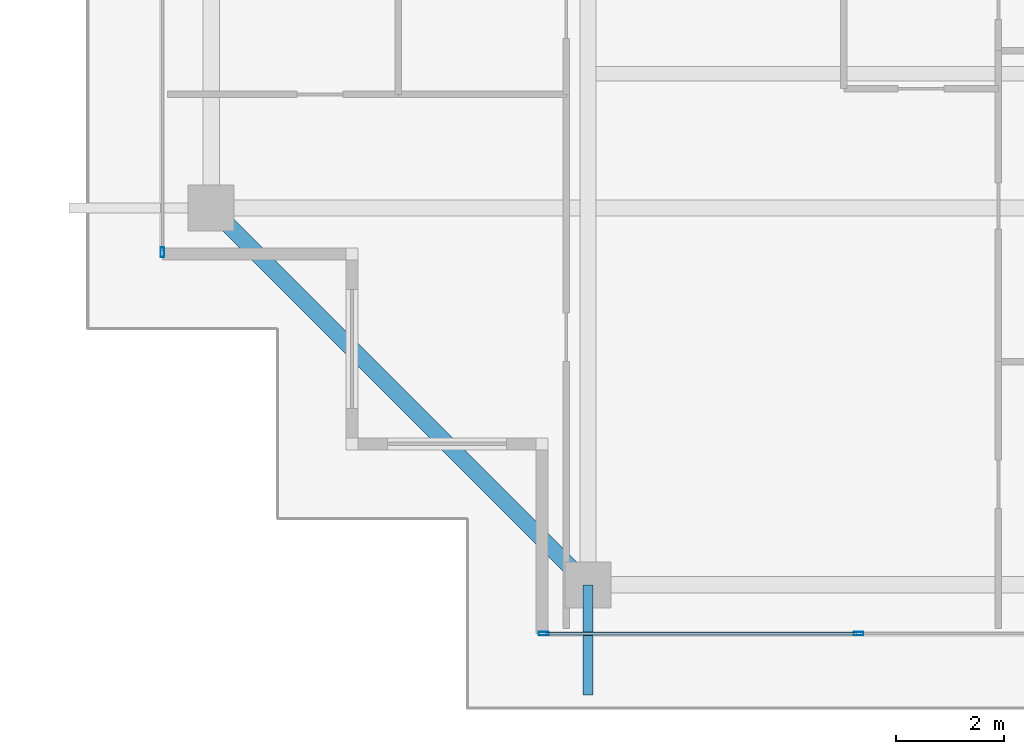
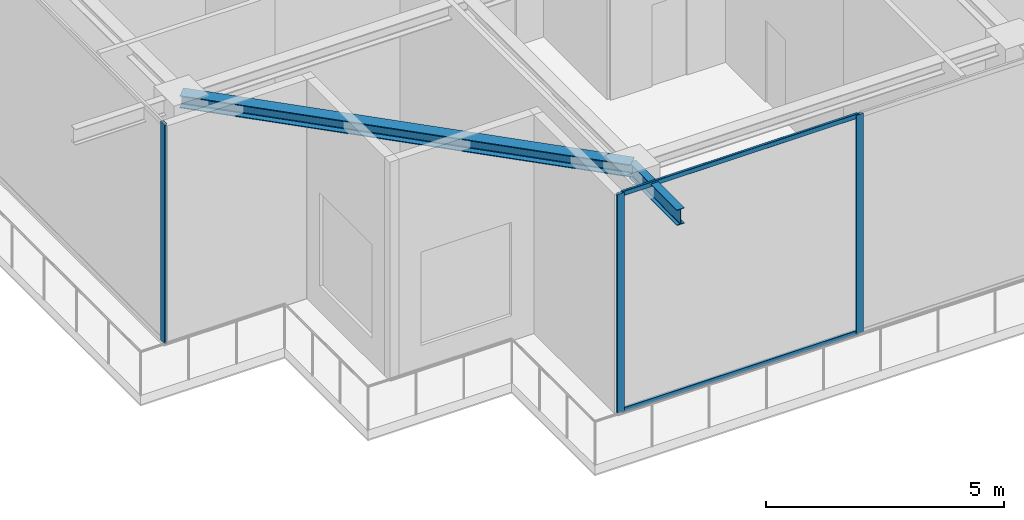
# One storey, part 2 of 40: 5 members, 2 beams, 2 elements without a shape of their own.
"""IFC4 building model written with IfcOpenShell, lengths in metres."""

from ifc_helpers import new_model, si_unit, direction, frame, origin, origin_2d, place, context, subcontext, project, spatial, hollow_rectangle, i_section, extrude, source, transform, mapped, material, layer, layer_set, material_profile, profile_set, type_object, element, aggregate, save


model = new_model("IFC4")

# Units and contexts
model_context = context("Model", 3, precision=1e-05, world=origin(), true_north=direction((0.0, 1.0)))
body_context = subcontext(model_context, "Body", "Model", "MODEL_VIEW")
ifc_project = project(units=[si_unit("LENGTHUNIT", "METRE"), si_unit("AREAUNIT", "SQUARE_METRE"), si_unit("VOLUMEUNIT", "CUBIC_METRE"), si_unit("PLANEANGLEUNIT", "RADIAN"), si_unit("MASSUNIT", "GRAM", prefix="KILO")], contexts=[model_context])

# Site, building, storey
site_placement = place(None, origin())
site = spatial("IfcSite", under=ifc_project, at=site_placement, CompositionType="ELEMENT")
building_placement = place(site_placement, origin())
building = spatial("IfcBuilding", under=site, at=building_placement, Name="Serunith Strait Residences", CompositionType="ELEMENT")
storey_placement = place(building_placement, frame((0.0, 0.0, 347.949951171875)))
storey = spatial("IfcBuildingStorey", under=building, at=storey_placement, Name="L86", CompositionType="ELEMENT", Elevation=347.949951171875)

# Beams
ifc_material_1 = material(Name="Steel S355J2", Category="steel")
ifc_material_profile_1 = material_profile(ifc_material_1, i_section(OverallWidth=0.300048828125, OverallDepth=0.320068359375, WebThickness=0.011474609375, FlangeThickness=0.0205078125, FilletRadius=0.027099609375, at=origin_2d()), Name="HEB 320")
ifc_profile_set_1 = profile_set([ifc_material_profile_1], Name="Steel S355J2")
beam_type_1 = type_object("IfcBeamType", Name="BM-HEB320", PredefinedType="BEAM", material=ifc_profile_set_1)
shared_shape_1 = source(origin(), body_context, "Body", "SweptSolid", [
    extrude(i_section(OverallWidth=0.300048828125, OverallDepth=0.320068359375, WebThickness=0.011474609375, FlangeThickness=0.0205078125, FilletRadius=0.027099609375, at=origin_2d()), origin(), (0.0, 0.0, 1.0), 9.828857421875),
])
beam_1_placement = place(storey_placement, frame((11.699951171875, 11.85009765625, 5.447021484375), z_axis=(0.707094361533, -0.707119200622, 0.0), x_axis=(0.707119200622, 0.707094361533, 0.0)))
element("IfcBeam", 1, at=beam_1_placement, inside=storey, type_object=beam_type_1, Name="L86 Perimeter Ring Beam 16", PredefinedType="BEAM", context=body_context, shape_type="MappedRepresentation", body=[
    mapped(shared_shape_1, transform((0.0, 0.0, 0.0), scale=1.0)),
])
ifc_material_profile_2 = material_profile(ifc_material_1, i_section(OverallWidth=0.179931640625, OverallDepth=0.39990234375, WebThickness=0.008544921875, FlangeThickness=0.013427734375, FilletRadius=0.02099609375, at=origin_2d()), Name="IPE 400")
ifc_profile_set_2 = profile_set([ifc_material_profile_2], Name="Steel S355J2")
beam_type_2 = type_object("IfcBeamType", Name="BM-IPE400", PredefinedType="JOIST", material=ifc_profile_set_2)
shared_shape_2 = source(origin(), body_context, "Body", "SweptSolid", [
    extrude(i_section(OverallWidth=0.179931640625, OverallDepth=0.39990234375, WebThickness=0.008544921875, FlangeThickness=0.013427734375, FilletRadius=0.02099609375, at=origin_2d()), origin(), (0.0, 0.0, 1.0), 2.02978515625),
])
beam_2_placement = place(storey_placement, frame((18.64990234375, 4.89990234375, 5.406982421875), z_axis=(0.0, -1.0, 0.0), x_axis=(1.0, 0.0, 0.0)))
element("IfcBeam", 2, at=beam_2_placement, inside=storey, type_object=beam_type_2, Name="L87 Cantilevered Balcony Rib TC-S1", PredefinedType="JOIST", context=body_context, shape_type="MappedRepresentation", body=[
    mapped(shared_shape_2, transform((0.0, 0.0, 0.0), scale=1.0)),
])

# Curtain wall, members
ifc_material_2 = material(Name="Brushed Stainless-Silver Aluminium", Category="aluminium")
ifc_layer = layer(ifc_material_2, 0.199951171875, Name="Brushed Stainless-Silver Aluminium")
ifc_layer_set = layer_set([ifc_layer], Name="Brushed Stainless-Silver Aluminium")
curtain_wall_type = type_object("IfcCurtainWallType", Name="CW-SYS5", PredefinedType="NOTDEFINED", material=ifc_layer_set)
curtain_wall_1_placement = place(storey_placement, origin())
curtain_wall_1 = element("IfcCurtainWall", 3, at=curtain_wall_1_placement, inside=storey, type_object=curtain_wall_type, Name="L86 S Unitised Fritted Curtain Wall", PredefinedType="NOTDEFINED")
ifc_material_profile_3 = material_profile(ifc_material_2, hollow_rectangle(XDim=0.06005859375, YDim=0.1201171875, WallThickness=0.00341796875, InnerFilletRadius=0.00537109375, OuterFilletRadius=0.0087890625, at=origin_2d()), Name="ALU 120x60x3.5")
ifc_profile_set_3 = profile_set([ifc_material_profile_3], Name="Brushed Stainless-Silver Aluminium")
member_type_1 = type_object("IfcMemberType", Name="CW-SYS5-TRAN", PredefinedType="USERDEFINED", material=ifc_profile_set_3)
shared_shape_3 = source(origin(), body_context, "Body", "SweptSolid", [
    extrude(hollow_rectangle(XDim=0.06005859375, YDim=0.1201171875, WallThickness=0.00341796875, InnerFilletRadius=0.00537109375, OuterFilletRadius=0.0087890625, at=origin_2d()), origin(), (0.0, 0.0, 1.0), 5.742431640625),
])
member_1_placement = place(storey_placement, frame((17.864990234375, 4.0, 0.030029296875), z_axis=(1.0, 0.0, 0.0), x_axis=(0.0, 1.0, 0.0)))
member_1 = element("IfcMember", 4, at=member_1_placement, type_object=member_type_1, Name="CW-5 transom 1.1", ObjectType="TRANSOM", PredefinedType="USERDEFINED", context=body_context, shape_type="MappedRepresentation", body=[
    mapped(shared_shape_3, transform((0.0, 0.0, 0.0), scale=1.0)),
])
member_2_placement = place(storey_placement, frame((17.864990234375, 4.0, 5.594970703125), z_axis=(1.0, 0.0, 0.0), x_axis=(0.0, 1.0, 0.0)))
member_2 = element("IfcMember", 5, at=member_2_placement, type_object=member_type_1, Name="CW-5 transom 1.2", ObjectType="TRANSOM", PredefinedType="USERDEFINED", context=body_context, shape_type="MappedRepresentation", body=[
    mapped(shared_shape_3, transform((0.0, 0.0, 0.0), scale=1.0)),
])
ifc_material_profile_4 = material_profile(ifc_material_2, hollow_rectangle(XDim=0.06494140625, YDim=0.179931640625, WallThickness=0.00341796875, InnerFilletRadius=0.00537109375, OuterFilletRadius=0.0087890625, at=origin_2d()), Name="ALU 180x65x3.5")
ifc_profile_set_4 = profile_set([ifc_material_profile_4], Name="Brushed Stainless-Silver Aluminium")
member_type_2 = type_object("IfcMemberType", Name="CW-SYS5-MULL", PredefinedType="MULLION", material=ifc_profile_set_4)
shared_shape_4 = source(origin(), body_context, "Body", "SweptSolid", [
    extrude(hollow_rectangle(XDim=0.06494140625, YDim=0.179931640625, WallThickness=0.00341796875, InnerFilletRadius=0.00537109375, OuterFilletRadius=0.0087890625, at=origin_2d()), origin(), (0.0, 0.0, 1.0), 5.625),
])
member_3_placement = place(storey_placement, frame((17.83251953125, 4.0, 0.0), z_axis=(0.0, 0.0, 1.0), x_axis=(0.0, 1.0, 0.0)))
member_3 = element("IfcMember", 6, at=member_3_placement, type_object=member_type_2, Name="CW-5 mullion 1", PredefinedType="MULLION", context=body_context, shape_type="MappedRepresentation", body=[
    mapped(shared_shape_4, transform((0.0, 0.0, 0.0), scale=1.0)),
])
member_4_placement = place(storey_placement, frame((23.639892578125, 4.0, 0.0), z_axis=(0.0, 0.0, 1.0), x_axis=(0.0, 1.0, 0.0)))
member_4 = element("IfcMember", 7, at=member_4_placement, type_object=member_type_2, Name="CW-5 mullion 2", PredefinedType="MULLION", context=body_context, shape_type="MappedRepresentation", body=[
    mapped(shared_shape_4, transform((0.0, 0.0, 0.0), scale=1.0)),
])
aggregate(curtain_wall_1, [member_3, member_4, member_1, member_2])

# Curtain wall, member
curtain_wall_2_placement = place(storey_placement, origin())
curtain_wall_2 = element("IfcCurtainWall", 8, at=curtain_wall_2_placement, inside=storey, type_object=curtain_wall_type, Name="L86 W Unitised Fritted Curtain Wall", PredefinedType="NOTDEFINED")
member_5_placement = place(storey_placement, frame((10.800048828125, 11.032470703125, 0.0), z_axis=(0.0, 0.0, 1.0), x_axis=(1.0, 0.0, 0.0)))
member_5 = element("IfcMember", 9, at=member_5_placement, type_object=member_type_2, Name="CW-5 mullion 5", PredefinedType="MULLION", context=body_context, shape_type="MappedRepresentation", body=[
    mapped(shared_shape_4, transform((0.0, 0.0, 0.0), scale=1.0)),
])
aggregate(curtain_wall_2, [member_5])

save(model, "model.ifc")
